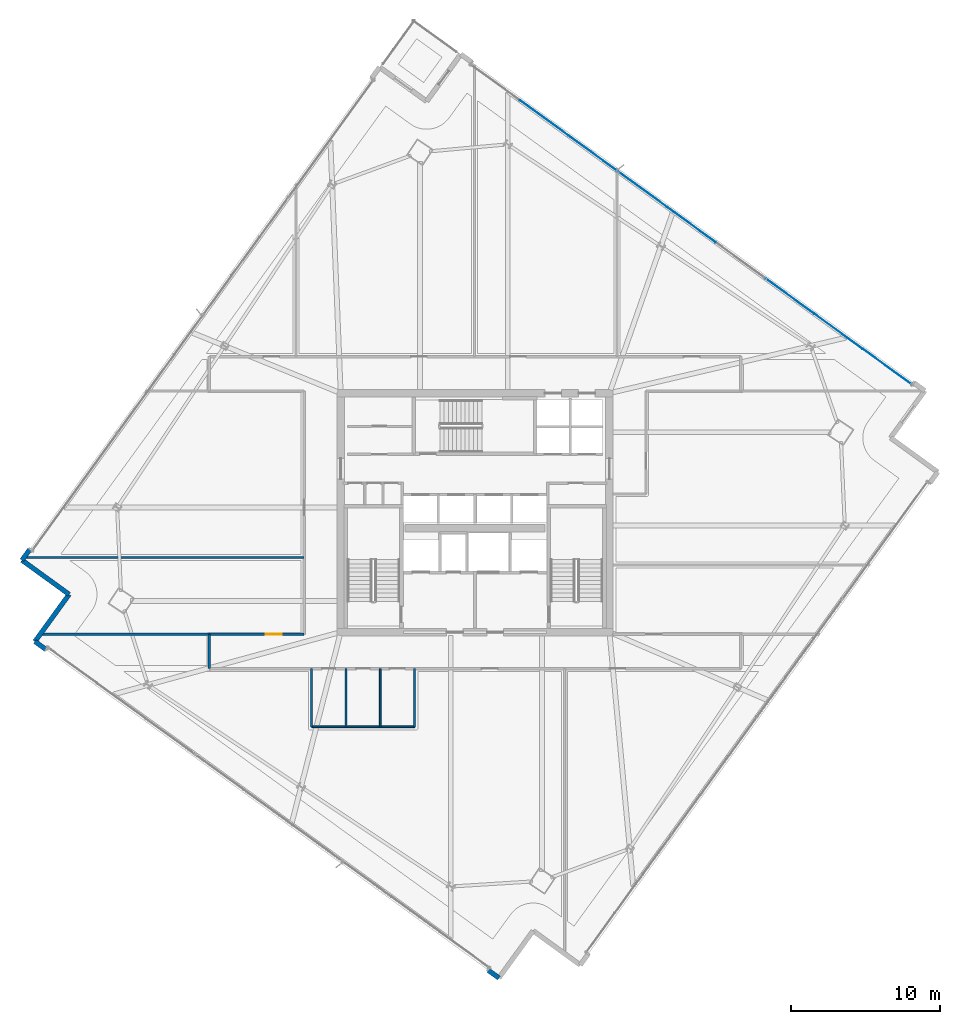
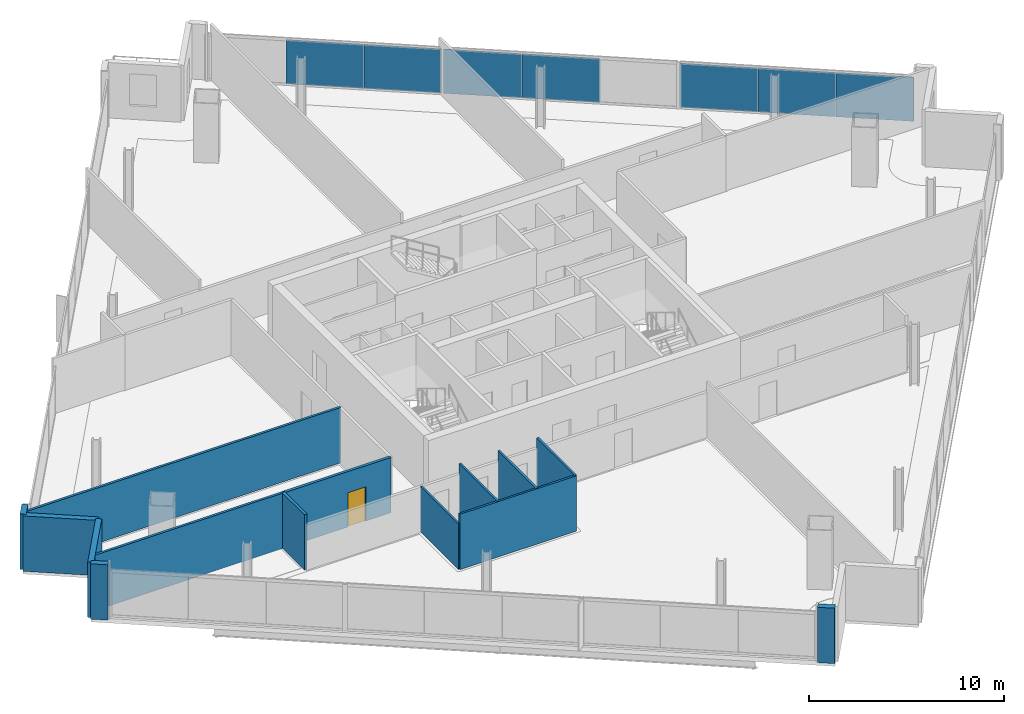
# One storey, part 21 of 29: 14 walls, 7 plates, 1 door, 1 opening, 1 element without a shape of its own.
"""IFC4 building model written with IfcOpenShell, lengths in metres."""

from ifc_helpers import new_model, si_unit, direction, frame, frame_2d, origin, origin_2d, place, context, subcontext, project, spatial, rectangle, extrude, source, transform, mapped, material, layer, layer_set, type_object, element, fill, aggregate, save


model = new_model("IFC4")

# Units and contexts
model_context = context("Model", 3, precision=1e-05, world=origin(), true_north=direction((0.0, 1.0)))
body_context = subcontext(model_context, "Body", "Model", "MODEL_VIEW")
ifc_project = project(units=[si_unit("LENGTHUNIT", "METRE"), si_unit("AREAUNIT", "SQUARE_METRE"), si_unit("VOLUMEUNIT", "CUBIC_METRE"), si_unit("PLANEANGLEUNIT", "RADIAN"), si_unit("MASSUNIT", "GRAM", prefix="KILO")], contexts=[model_context])

# Site, building, storey
site_placement = place(None, origin())
site = spatial("IfcSite", under=ifc_project, at=site_placement, CompositionType="ELEMENT")
building_placement = place(site_placement, origin())
building = spatial("IfcBuilding", under=site, at=building_placement, Name="Haldenkirk Collegiate Tower", CompositionType="ELEMENT")
storey_placement = place(building_placement, frame((0.0, 0.0, 209.699951171875)))
storey = spatial("IfcBuildingStorey", under=building, at=storey_placement, Name="L52", CompositionType="ELEMENT", Elevation=209.699951171875)

# Curtain wall, plates
ifc_material_1 = material(Name="Anodised architectural bronze aluminium", Category="aluminium")
curtain_wall_type = type_object("IfcCurtainWallType", Name="CW-SYS1B-CONVEX-HI", PredefinedType="USERDEFINED", material=ifc_material_1)
curtain_wall_placement = place(storey_placement, origin())
curtain_wall = element("IfcCurtainWall", 1, at=curtain_wall_placement, inside=storey, type_object=curtain_wall_type, Name="L52 Upper tower high-wind convex bronze unitised curtain wall", ObjectType="UNITISED CURTAIN WALL", PredefinedType="USERDEFINED")
ifc_material_2 = material(Name="Bronze-anodised insulated aluminium spandrel panel", Category="aluminium")
ifc_layer_1 = layer(ifc_material_2, 0.048095703125)
ifc_layer_set_1 = layer_set([ifc_layer_1], Name="Bronze-anodised insulated aluminium spandrel panel")
plate_type_1 = type_object("IfcPlateType", Name="CW-SPD-1B", PredefinedType="CURTAIN_PANEL", material=ifc_layer_set_1)
shared_shape_1 = source(origin(), body_context, "Body", "SweptSolid", [
    extrude(rectangle(XDim=4.02587890625, YDim=0.048095703125, at=origin_2d()), origin(), (0.0, 0.0, 1.0), 2.758056640625),
])
plate_1_placement = place(storey_placement, frame((47.2099609375, 47.66552734375, 0.0849609375), z_axis=(0.0, 0.0, 1.0), x_axis=(0.809528733476, -0.587080258293, 0.0)))
plate_1 = element("IfcPlate", 2, at=plate_1_placement, type_object=plate_type_1, Name="CW-1B spandrel panel 2.1a", PredefinedType="CURTAIN_PANEL", context=body_context, shape_type="MappedRepresentation", body=[
    mapped(shared_shape_1, transform((0.0, 0.0, 0.0), x_axis=(1.0, 0.0, 0.0), y_axis=(0.0, 1.0, 0.0), z_axis=(0.0, 0.0, 1.0), scale=1.0)),
])
shared_shape_2 = source(origin(), body_context, "Body", "SweptSolid", [
    extrude(rectangle(XDim=4.01318359375, YDim=0.048095703125, at=origin_2d()), origin(), (0.0, 0.0, 1.0), 2.758056640625),
])
plate_2_placement = place(storey_placement, frame((50.484130859375, 45.291015625, 0.0849609375), z_axis=(0.0, 0.0, 1.0), x_axis=(0.809528733476, -0.587080258293, 0.0)))
plate_2 = element("IfcPlate", 3, at=plate_2_placement, type_object=plate_type_1, Name="CW-1B spandrel panel 2.1b", PredefinedType="CURTAIN_PANEL", context=body_context, shape_type="MappedRepresentation", body=[
    mapped(shared_shape_2, transform((0.0, 0.0, 0.0), x_axis=(1.0, 0.0, 0.0), y_axis=(0.0, 1.0, 0.0), z_axis=(0.0, 0.0, 1.0), scale=1.0)),
])
shared_shape_3 = source(origin(), body_context, "Body", "SweptSolid", [
    extrude(rectangle(XDim=4.01171875, YDim=0.048095703125, at=origin_2d()), origin(), (0.0, 0.0, 1.0), 2.758056640625),
])
plate_3_placement = place(storey_placement, frame((43.887939453125, 50.07470703125, 0.0849609375), z_axis=(0.0, 0.0, 1.0), x_axis=(0.809528733476, -0.587080258293, 0.0)))
plate_3 = element("IfcPlate", 4, at=plate_3_placement, type_object=plate_type_1, Name="CW-1B spandrel panel 1.1c", PredefinedType="CURTAIN_PANEL", context=body_context, shape_type="MappedRepresentation", body=[
    mapped(shared_shape_3, transform((0.0, 0.0, 0.0), x_axis=(1.0, 0.0, 0.0), y_axis=(0.0, 1.0, 0.0), z_axis=(0.0, 0.0, 1.0), scale=1.0)),
])
plate_4_placement = place(storey_placement, frame((57.080322265625, 40.50732421875, 0.0849609375), z_axis=(0.0, 0.0, 1.0), x_axis=(0.809528733476, -0.587080258293, 0.0)))
plate_4 = element("IfcPlate", 5, at=plate_4_placement, type_object=plate_type_1, Name="CW-1B spandrel panel 3.1a", PredefinedType="CURTAIN_PANEL", context=body_context, shape_type="MappedRepresentation", body=[
    mapped(shared_shape_3, transform((0.0, 0.0, 0.0), x_axis=(1.0, 0.0, 0.0), y_axis=(0.0, 1.0, 0.0), z_axis=(0.0, 0.0, 1.0), scale=1.0)),
])
ifc_material_3 = material(Name="Low-E argon triple insulating glass", Category="glass")
ifc_layer_2 = layer(ifc_material_3, 0.048095703125)
ifc_layer_set_2 = layer_set([ifc_layer_2], Name="Low-E argon triple insulating glass")
plate_type_2 = type_object("IfcPlateType", Name="CW-PNL-1B", PredefinedType="CURTAIN_PANEL", material=ifc_layer_set_2)
plate_5_placement = place(storey_placement, frame((63.60595703125, 35.77490234375, 0.0849609375), z_axis=(0.0, 0.0, 1.0), x_axis=(0.809528733476, -0.587080258293, 0.0)))
plate_5 = element("IfcPlate", 6, at=plate_5_placement, type_object=plate_type_2, Name="CW-1B panel 3.1c", PredefinedType="CURTAIN_PANEL", context=body_context, shape_type="MappedRepresentation", body=[
    mapped(shared_shape_3, transform((0.0, 0.0, 0.0), x_axis=(1.0, 0.0, 0.0), y_axis=(0.0, 1.0, 0.0), z_axis=(0.0, 0.0, 1.0), scale=1.0)),
])
shared_shape_4 = source(origin(), body_context, "Body", "SweptSolid", [
    extrude(rectangle(XDim=3.999267578125, YDim=0.048095703125, at=origin_2d()), origin(), (0.0, 0.0, 1.0), 2.758056640625),
])
plate_6_placement = place(storey_placement, frame((40.625, 52.44091796875, 0.0849609375), z_axis=(0.0, 0.0, 1.0), x_axis=(0.809528733476, -0.587080258293, 0.0)))
plate_6 = element("IfcPlate", 7, at=plate_6_placement, type_object=plate_type_2, Name="CW-1B panel 1.1b", PredefinedType="CURTAIN_PANEL", context=body_context, shape_type="MappedRepresentation", body=[
    mapped(shared_shape_4, transform((0.0, 0.0, 0.0), x_axis=(1.0, 0.0, 0.0), y_axis=(0.0, 1.0, 0.0), z_axis=(0.0, 0.0, 1.0), scale=1.0)),
])
plate_7_placement = place(storey_placement, frame((60.34326171875, 38.14111328125, 0.0849609375), z_axis=(0.0, 0.0, 1.0), x_axis=(0.809528733476, -0.587080258293, 0.0)))
plate_7 = element("IfcPlate", 8, at=plate_7_placement, type_object=plate_type_1, Name="CW-1B spandrel panel 3.1b", PredefinedType="CURTAIN_PANEL", context=body_context, shape_type="MappedRepresentation", body=[
    mapped(shared_shape_4, transform((0.0, 0.0, 0.0), x_axis=(1.0, 0.0, 0.0), y_axis=(0.0, 1.0, 0.0), z_axis=(0.0, 0.0, 1.0), scale=1.0)),
])
aggregate(curtain_wall, [plate_6, plate_3, plate_1, plate_2, plate_4, plate_7, plate_5])

# Walls
ifc_material_4 = material(Name="Precast concrete f'c 40 MPa", Category="concrete")
ifc_layer_3 = layer(ifc_material_4, 0.320068359375)
ifc_layer_set_3 = layer_set([ifc_layer_3], Name="Precast concrete f'c 40 MPa")
wall_type_1 = type_object("IfcWallType", Name="WL-EXT-TWR-320", PredefinedType="STANDARD", material=ifc_layer_set_3)
wall_1_placement = place(storey_placement, frame((5.647216796875, 22.812255859375, 0.0), z_axis=(0.0, 0.0, 1.0), x_axis=(0.587123096842, 0.8094976647, 0.0)))
element("IfcWall", 9, at=wall_1_placement, inside=storey, type_object=wall_type_1, Name="L52 precast corner pier NL", PredefinedType="STANDARD", context=body_context, shape_type="SweptSolid", body=[
    extrude(rectangle(XDim=0.900146484375, YDim=0.320068359375, at=frame_2d((0.4501953125, 0.0))), origin(), (0.0, 0.0, 1.0), 3.469970703125),
])
for number, where, z_axis, x_axis, name in (
    (10, (8.804443359375, 20.522705078125, 0.0), (0.0, 0.0, 1.0), (-0.809542016527, 0.587061941772, 0.0), "L52 bronze precast notch wall 08"),
    (11, (6.514892578125, 17.365478515625, 0.0), (0.0, 0.0, 1.0), (0.587061941772, 0.809542016527, 0.0), "L52 bronze precast notch wall 09"),
):
    element("IfcWall", number, at=place(storey_placement, frame(where, z_axis=z_axis, x_axis=x_axis)), inside=storey, type_object=wall_type_1, Name=name, PredefinedType="STANDARD", context=body_context, shape_type="SweptSolid", body=[
        extrude(rectangle(XDim=3.89990234375, YDim=0.320068359375, at=frame_2d((1.949951171875, 0.0))), origin(), (0.0, 0.0, 1.0), 3.469970703125),
    ])
for number, where, z_axis, x_axis, name in (
    (12, (37.600830078125, -5.17822265625, 0.0), (0.0, 0.0, 1.0), (-0.80953308335, 0.587074260177, 0.0), "L52 precast corner pier WL"),
    (13, (7.243408203125, 16.837158203125, 0.0), (0.0, 0.0, 1.0), (-0.80953308335, 0.587074260177, 0.0), "L52 precast corner pier WR"),
):
    element("IfcWall", number, at=place(storey_placement, frame(where, z_axis=z_axis, x_axis=x_axis)), inside=storey, type_object=wall_type_1, Name=name, PredefinedType="STANDARD", context=body_context, shape_type="SweptSolid", body=[
        extrude(rectangle(XDim=0.89990234375, YDim=0.320068359375, at=frame_2d((0.449951171875, 0.0))), origin(), (0.0, 0.0, 1.0), 3.469970703125),
    ])

# Wall, opening, door
ifc_material_5 = material(Name="Acoustic fire-rated gypsum partition", Category="concrete")
ifc_layer_4 = layer(ifc_material_5, 0.159912109375)
ifc_layer_set_4 = layer_set([ifc_layer_4], Name="Acoustic fire-rated gypsum partition")
wall_type_2 = type_object("IfcWallType", Name="WL-INT-CORR-160", PredefinedType="PARTITIONING", material=ifc_layer_set_4)
wall_2_placement = place(storey_placement, frame((18.199951171875, 17.85009765625, 0.0), z_axis=(0.0, 0.0, 1.0), x_axis=(1.0, 0.0, 0.0)))
wall_2 = element("IfcWall", 14, at=wall_2_placement, inside=storey, type_object=wall_type_2, Name="L52 interior partition IW-L52-CSW", PredefinedType="PARTITIONING", context=body_context, shape_type="SweptSolid", body=[
    extrude(rectangle(XDim=6.35009765625, YDim=0.159912109375, at=frame_2d((3.175048828125, 0.0))), origin(), (0.0, 0.0, 1.0), 3.469970703125),
])
opening_placement = place(wall_2_placement, frame((3.79296875, 0.0, 0.0)))
opening = element("IfcOpeningElement", 15, at=opening_placement, cuts=wall_2, Name="Opening D-09", PredefinedType="OPENING", context=body_context, shape_type="SweptSolid", body=[
    extrude(rectangle(XDim=1.050048828125, YDim=2.14990234375, at=frame_2d((0.52490234375, 1.074951171875))), frame((0.0, 0.08984375, 0.0), z_axis=(0.0, -1.0, 0.0), x_axis=(1.0, 0.0, 0.0)), (0.0, 0.0, 1.0), 0.179931640625),
])
ifc_material_6 = material(Name="Solid-core architectural oak fire door", Category="wood")
ifc_layer_5 = layer(ifc_material_6, 0.06005859375)
ifc_layer_set_5 = layer_set([ifc_layer_5], Name="Solid-core architectural oak fire door")
door_type = type_object("IfcDoorType", Name="DR-INT-FD60-1050", OperationType="NOTDEFINED", PredefinedType="DOOR", material=ifc_layer_set_5)
door_placement = place(opening_placement, origin())
door = element("IfcDoor", 16, at=door_placement, inside=storey, type_object=door_type, Name="L52 Special Collections Archive 7 door", OperationType="SINGLE_SWING_RIGHT", OverallHeight=2.14990234375, OverallWidth=1.050048828125, PredefinedType="DOOR", context=body_context, shape_type="SweptSolid", body=[
    extrude(rectangle(XDim=1.050048828125, YDim=2.14990234375, at=frame_2d((0.52490234375, 1.074951171875))), frame((0.0, 0.02490234375, 0.0), z_axis=(0.0, -1.0, 0.0), x_axis=(1.0, 0.0, 0.0)), (0.0, 0.0, 1.0), 0.050048828125),
])
fill(opening, door)

# Walls
wall_3_placement = place(storey_placement, frame((18.199951171875, 15.550048828125, 0.0), z_axis=(0.0, 0.0, 1.0), x_axis=(0.0, 1.0, 0.0)))
element("IfcWall", 17, at=wall_3_placement, inside=storey, type_object=wall_type_2, Name="L52 interior partition IW-L52-CSL", PredefinedType="PARTITIONING", context=body_context, shape_type="SweptSolid", body=[
    extrude(rectangle(XDim=2.300048828125, YDim=0.159912109375, at=frame_2d((1.14990234375, 0.0))), origin(), (0.0, 0.0, 1.0), 3.469970703125),
])
ifc_layer_6 = layer(ifc_material_5, 0.139892578125)
ifc_layer_set_6 = layer_set([ifc_layer_6], Name="Acoustic fire-rated gypsum partition")
wall_type_3 = type_object("IfcWallType", Name="WL-INT-DIV-140", PredefinedType="PARTITIONING", material=ifc_layer_set_6)
wall_4_placement = place(storey_placement, frame((6.91552734375, 17.85009765625, 0.0), z_axis=(0.0, 0.0, 1.0), x_axis=(1.0, 0.0, 0.0)))
element("IfcWall", 18, at=wall_4_placement, inside=storey, type_object=wall_type_3, Name="L52 interior partition IW-L52-BWS", PredefinedType="PARTITIONING", context=body_context, shape_type="SweptSolid", body=[
    extrude(rectangle(XDim=11.284423828125, YDim=0.139892578125, at=frame_2d((5.64208984375, 0.0))), origin(), (0.0, 0.0, 1.0), 3.469970703125),
])
wall_5_placement = place(storey_placement, frame((5.832763671875, 23.0, 0.0), z_axis=(0.0, 0.0, 1.0), x_axis=(1.0, 0.0, 0.0)))
element("IfcWall", 19, at=wall_5_placement, inside=storey, type_object=wall_type_3, Name="L52 interior partition IW-L52-RW1", PredefinedType="PARTITIONING", context=body_context, shape_type="SweptSolid", body=[
    extrude(rectangle(XDim=18.71728515625, YDim=0.139892578125, at=frame_2d((9.358642578125, 0.0))), origin(), (0.0, 0.0, 1.0), 3.469970703125),
])
ifc_layer_7 = layer(ifc_material_5, 0.1201171875)
ifc_layer_set_7 = layer_set([ifc_layer_7], Name="Acoustic fire-rated gypsum partition")
wall_type_4 = type_object("IfcWallType", Name="WL-INT-WET-120", PredefinedType="PARTITIONING", material=ifc_layer_set_7)
wall_6_placement = place(storey_placement, frame((25.050048828125, 11.64990234375, 0.0), z_axis=(0.0, 0.0, 1.0), x_axis=(0.0, 1.0, 0.0)))
element("IfcWall", 20, at=wall_6_placement, inside=storey, type_object=wall_type_4, Name="L52 interior partition IW-L52-WCW", PredefinedType="PARTITIONING", context=body_context, shape_type="SweptSolid", body=[
    extrude(rectangle(XDim=3.900146484375, YDim=0.1201171875, at=frame_2d((1.9501953125, 0.0))), origin(), (0.0, 0.0, 1.0), 2.84912109375),
])
for number, where, z_axis, x_axis, name in (
    (21, (27.35009765625, 11.64990234375, 0.0), (0.0, 0.0, 1.0), (0.0, 1.0, 0.0), "L52 interior partition IW-L52-WC1"),
    (22, (29.64990234375, 11.64990234375, 0.0), (0.0, 0.0, 1.0), (0.0, 1.0, 0.0), "L52 interior partition IW-L52-WC2"),
    (23, (31.949951171875, 11.64990234375, 0.0), (0.0, 0.0, 1.0), (0.0, 1.0, 0.0), "L52 interior partition IW-L52-WCE"),
):
    element("IfcWall", number, at=place(storey_placement, frame(where, z_axis=z_axis, x_axis=x_axis)), inside=storey, type_object=wall_type_4, Name=name, PredefinedType="PARTITIONING", context=body_context, shape_type="SweptSolid", body=[
        extrude(rectangle(XDim=3.900146484375, YDim=0.1201171875, at=frame_2d((1.9501953125, 0.0))), origin(), (0.0, 0.0, 1.0), 3.469970703125),
    ])
wall_7_placement = place(storey_placement, frame((25.050048828125, 11.64990234375, 0.0), z_axis=(0.0, 0.0, 1.0), x_axis=(1.0, 0.0, 0.0)))
element("IfcWall", 24, at=wall_7_placement, inside=storey, type_object=wall_type_4, Name="L52 interior partition IW-L52-WCB", PredefinedType="PARTITIONING", context=body_context, shape_type="SweptSolid", body=[
    extrude(rectangle(XDim=6.89990234375, YDim=0.1201171875, at=frame_2d((3.449951171875, 0.0))), origin(), (0.0, 0.0, 1.0), 3.469970703125),
])

save(model, "model.ifc")
